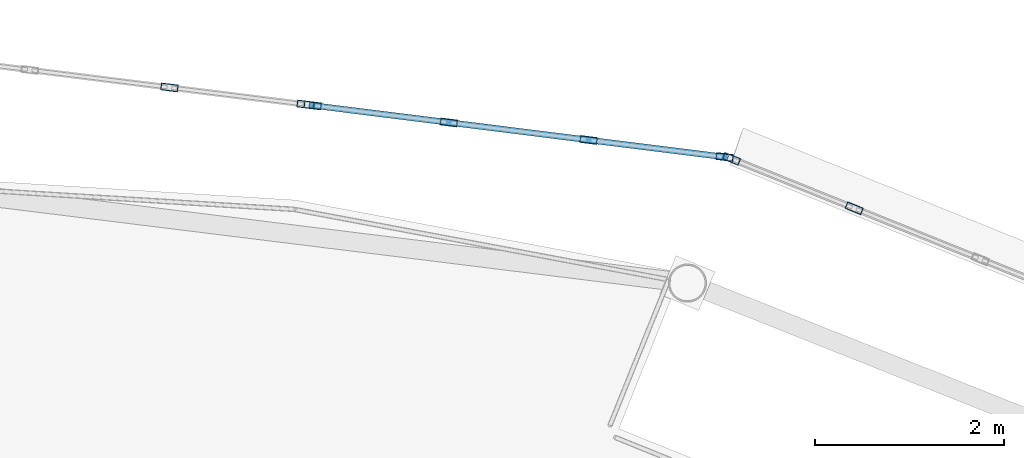
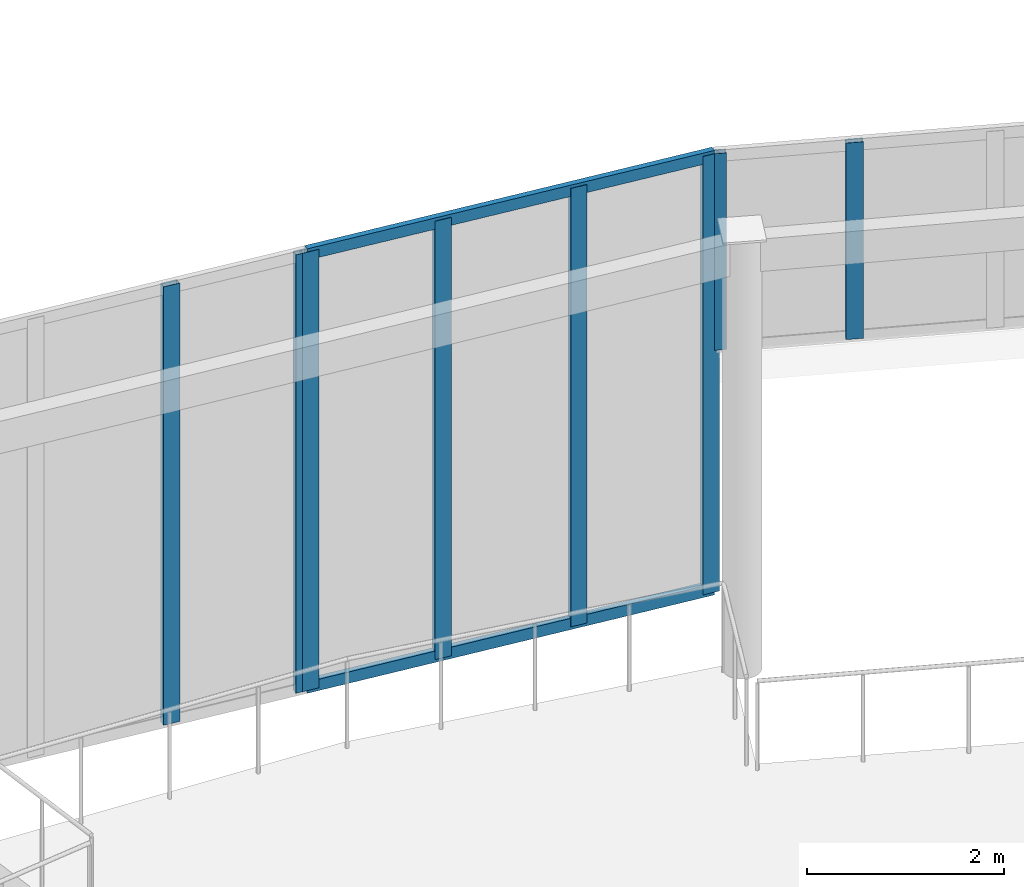
# One storey, part 51 of 98: 10 members, 3 elements without a shape of their own.
"""IFC4 building model written with IfcOpenShell, lengths in metres."""

from ifc_helpers import new_model, si_unit, direction, frame, origin, origin_2d, place, context, subcontext, project, spatial, hollow_rectangle, extrude, material, layer, layer_set, material_profile, profile_set, type_object, element, aggregate, save


model = new_model("IFC4")

# Units and contexts
model_context = context("Model", 3, precision=1e-05, world=origin(), true_north=direction((0.0, 1.0)))
body_context = subcontext(model_context, "Body", "Model", "MODEL_VIEW")
ifc_project = project(units=[si_unit("LENGTHUNIT", "METRE"), si_unit("AREAUNIT", "SQUARE_METRE"), si_unit("VOLUMEUNIT", "CUBIC_METRE"), si_unit("PLANEANGLEUNIT", "RADIAN"), si_unit("MASSUNIT", "GRAM", prefix="KILO")], contexts=[model_context])

# Site, building, storey
site_placement = place(None, origin())
site = spatial("IfcSite", under=ifc_project, at=site_placement, CompositionType="ELEMENT")
building_placement = place(site_placement, origin())
building = spatial("IfcBuilding", under=site, at=building_placement, Name="Sollismere Congress Hotel", CompositionType="ELEMENT")
storey_placement = place(building_placement, frame((0.0, 0.0, 5.39990234375)))
storey = spatial("IfcBuildingStorey", under=building, at=storey_placement, Name="L01", CompositionType="ELEMENT", Elevation=5.39990234375)

# Curtain wall, members
ifc_material_1 = material(Name="Anodized Bronze Curtain Wall & Low-E Triple Glazing", Category="glass")
ifc_layer = layer(ifc_material_1, 0.199951171875, Name="Anodized Bronze Curtain Wall & Low-E Triple Glazing")
ifc_layer_set = layer_set([ifc_layer], Name="Anodized Bronze Curtain Wall & Low-E Triple Glazing")
curtain_wall_type = type_object("IfcCurtainWallType", Name="CW-GLZ36", PredefinedType="USERDEFINED", material=ifc_layer_set)
curtain_wall_1_placement = place(storey_placement, origin())
curtain_wall_1 = element("IfcCurtainWall", 1, at=curtain_wall_1_placement, inside=storey, type_object=curtain_wall_type, Name="Unitised curtain wall CW-L01-008", ObjectType="UNITISED CURTAIN WALL", PredefinedType="USERDEFINED")
ifc_material_2 = material(Name="Anodized Aluminum 6063-T6", Category="aluminium")
ifc_material_profile_1 = material_profile(ifc_material_2, hollow_rectangle(XDim=0.074951171875, YDim=0.179931640625, WallThickness=0.0048828125, at=origin_2d()), Name="ALU180X75X5")
ifc_profile_set_1 = profile_set([ifc_material_profile_1], Name="Anodized Aluminum 6063-T6")
member_type_1 = type_object("IfcMemberType", Name="ML-CW180", PredefinedType="MULLION", material=ifc_profile_set_1)
member_1_placement = place(storey_placement, frame((39.219970703125, 111.497802734375, 2.989990234375), z_axis=(0.0, 0.0, 1.0), x_axis=(-0.373943018709, -0.927451680013, 0.0)))
member_1 = element("IfcMember", 2, at=member_1_placement, type_object=member_type_1, Name="CWL-CW-L01-008-ML03", PredefinedType="MULLION", context=body_context, shape_type="SweptSolid", body=[
    extrude(hollow_rectangle(XDim=0.074951171875, YDim=0.179931640625, WallThickness=0.0048828125, at=origin_2d()), origin(), (0.0, 0.0, 1.0), 2.43017578125),
])
member_2_placement = place(storey_placement, frame((37.91943359375, 112.022216796875, 2.989990234375), z_axis=(0.0, 0.0, 1.0), x_axis=(-0.373943018709, -0.927451680013, 0.0)))
member_2 = element("IfcMember", 3, at=member_2_placement, type_object=member_type_1, Name="CWL-CW-L01-008-ML04", PredefinedType="MULLION", context=body_context, shape_type="SweptSolid", body=[
    extrude(hollow_rectangle(XDim=0.074951171875, YDim=0.179931640625, WallThickness=0.0048828125, at=origin_2d()), origin(), (0.0, 0.0, 1.0), 2.43017578125),
])
aggregate(curtain_wall_1, [member_1, member_2])

curtain_wall_2_placement = place(storey_placement, origin())
curtain_wall_2 = element("IfcCurtainWall", 4, at=curtain_wall_2_placement, inside=storey, type_object=curtain_wall_type, Name="Unitised curtain wall CW-L01-013", ObjectType="UNITISED CURTAIN WALL", PredefinedType="USERDEFINED")
member_3_placement = place(storey_placement, frame((37.846435546875, 112.041259765625, 0.0), z_axis=(0.0, 0.0, 1.0), x_axis=(-0.124363496441, -0.992236726166, 0.0)))
member_3 = element("IfcMember", 5, at=member_3_placement, type_object=member_type_1, Name="CWL-CW-L01-013-ML01", PredefinedType="MULLION", context=body_context, shape_type="SweptSolid", body=[
    extrude(hollow_rectangle(XDim=0.074951171875, YDim=0.179931640625, WallThickness=0.0048828125, at=origin_2d()), origin(), (0.0, 0.0, 1.0), 5.420166015625),
])
member_4_placement = place(storey_placement, frame((36.403564453125, 112.22216796875, 0.0), z_axis=(0.0, 0.0, 1.0), x_axis=(-0.124363496441, -0.992236726166, 0.0)))
member_4 = element("IfcMember", 6, at=member_4_placement, type_object=member_type_1, Name="CWL-CW-L01-013-ML02", PredefinedType="MULLION", context=body_context, shape_type="SweptSolid", body=[
    extrude(hollow_rectangle(XDim=0.074951171875, YDim=0.179931640625, WallThickness=0.0048828125, at=origin_2d()), origin(), (0.0, 0.0, 1.0), 5.420166015625),
])
member_5_placement = place(storey_placement, frame((34.9228515625, 112.40771484375, 0.0), z_axis=(0.0, 0.0, 1.0), x_axis=(-0.124363496441, -0.992236726166, 0.0)))
member_5 = element("IfcMember", 7, at=member_5_placement, type_object=member_type_1, Name="CWL-CW-L01-013-ML03", PredefinedType="MULLION", context=body_context, shape_type="SweptSolid", body=[
    extrude(hollow_rectangle(XDim=0.074951171875, YDim=0.179931640625, WallThickness=0.0048828125, at=origin_2d()), origin(), (0.0, 0.0, 1.0), 5.420166015625),
])
member_6_placement = place(storey_placement, frame((33.479736328125, 112.58837890625, 0.0), z_axis=(0.0, 0.0, 1.0), x_axis=(-0.124363496441, -0.992236726166, 0.0)))
member_6 = element("IfcMember", 8, at=member_6_placement, type_object=member_type_1, Name="CWL-CW-L01-013-ML04", PredefinedType="MULLION", context=body_context, shape_type="SweptSolid", body=[
    extrude(hollow_rectangle(XDim=0.074951171875, YDim=0.179931640625, WallThickness=0.0048828125, at=origin_2d()), origin(), (0.0, 0.0, 1.0), 5.420166015625),
])

curtain_wall_3_placement = place(storey_placement, origin())
curtain_wall_3 = element("IfcCurtainWall", 9, at=curtain_wall_3_placement, inside=storey, type_object=curtain_wall_type, Name="Unitised curtain wall CW-L01-014", ObjectType="UNITISED CURTAIN WALL", PredefinedType="USERDEFINED")
member_7_placement = place(storey_placement, frame((33.404296875, 112.597900390625, 0.0), z_axis=(0.0, 0.0, 1.0), x_axis=(-0.124363496441, -0.992236726166, 0.0)))
member_7 = element("IfcMember", 10, at=member_7_placement, type_object=member_type_1, Name="CWL-CW-L01-014-ML01", PredefinedType="MULLION", context=body_context, shape_type="SweptSolid", body=[
    extrude(hollow_rectangle(XDim=0.074951171875, YDim=0.179931640625, WallThickness=0.0048828125, at=origin_2d()), origin(), (0.0, 0.0, 1.0), 5.420166015625),
])
member_8_placement = place(storey_placement, frame((31.96142578125, 112.77880859375, 0.0), z_axis=(0.0, 0.0, 1.0), x_axis=(-0.124363496441, -0.992236726166, 0.0)))
member_8 = element("IfcMember", 11, at=member_8_placement, type_object=member_type_1, Name="CWL-CW-L01-014-ML02", PredefinedType="MULLION", context=body_context, shape_type="SweptSolid", body=[
    extrude(hollow_rectangle(XDim=0.074951171875, YDim=0.179931640625, WallThickness=0.0048828125, at=origin_2d()), origin(), (0.0, 0.0, 1.0), 5.420166015625),
])
aggregate(curtain_wall_3, [member_7, member_8])

# Member
ifc_material_profile_2 = material_profile(ifc_material_2, hollow_rectangle(XDim=0.06494140625, YDim=0.139892578125, WallThickness=0.00390625, at=origin_2d()), Name="ALU140X65X4")
ifc_profile_set_2 = profile_set([ifc_material_profile_2], Name="Anodized Aluminum 6063-T6")
member_type_2 = type_object("IfcMemberType", Name="TR-CW150", PredefinedType="MEMBER", material=ifc_profile_set_2)
member_9_placement = place(storey_placement, frame((37.88427734375, 112.03662109375, 0.03271484375), z_axis=(-0.992240076669, 0.124336761462, 0.0), x_axis=(-0.124336761462, -0.992240076669, 0.0)))
member_9 = element("IfcMember", 12, at=member_9_placement, type_object=member_type_2, Name="CWL-CW-L01-013-TR1", PredefinedType="MEMBER", context=body_context, shape_type="SweptSolid", body=[
    extrude(hollow_rectangle(XDim=0.06494140625, YDim=0.139892578125, WallThickness=0.00390625, at=origin_2d()), origin(), (0.0, 0.0, 1.0), 4.476806640625),
])

member_10_placement = place(storey_placement, frame((37.88427734375, 112.03662109375, 5.3876953125), z_axis=(-0.992240076669, 0.124336761462, 0.0), x_axis=(-0.124336761462, -0.992240076669, 0.0)))
member_10 = element("IfcMember", 13, at=member_10_placement, type_object=member_type_2, Name="CWL-CW-L01-013-TR2", PredefinedType="MEMBER", context=body_context, shape_type="SweptSolid", body=[
    extrude(hollow_rectangle(XDim=0.06494140625, YDim=0.139892578125, WallThickness=0.00390625, at=origin_2d()), origin(), (0.0, 0.0, 1.0), 4.476806640625),
])

aggregate(curtain_wall_2, [member_3, member_4, member_5, member_6, member_9, member_10])

save(model, "model.ifc")
